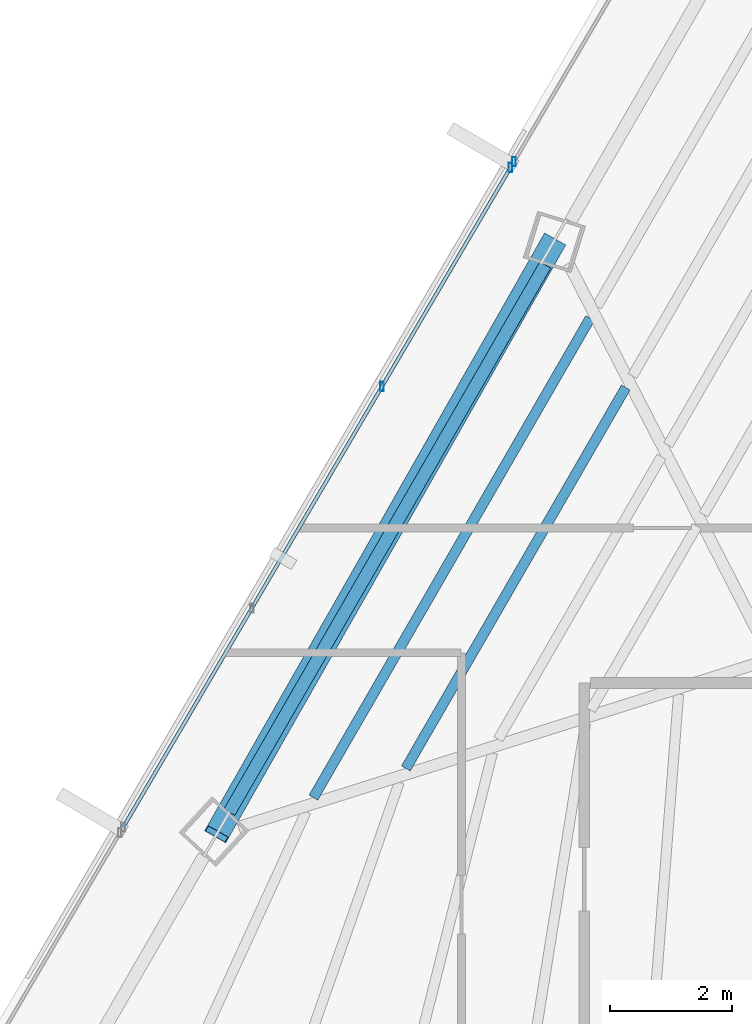
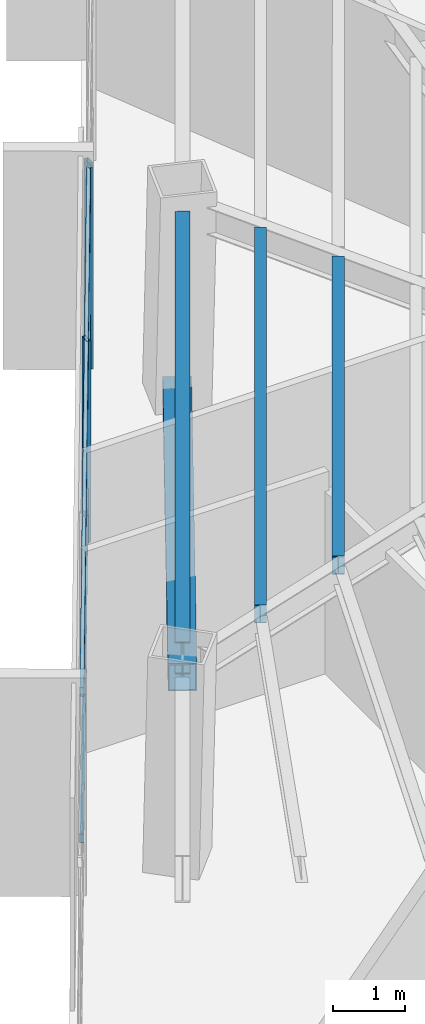
# One storey, part 16 of 42: 6 members, 3 beams, 2 elements without a shape of their own.
"""IFC4 building model written with IfcOpenShell, lengths in metres."""

from ifc_helpers import new_model, si_unit, direction, frame, origin, origin_2d, place, context, subcontext, project, spatial, hollow_rectangle, i_section, extrude, source, transform, mapped, material, material_profile, profile_set, type_object, type_shapes, element, aggregate, save


model = new_model("IFC4")

# Units and contexts
model_context = context("Model", 3, precision=1e-05, world=origin(), true_north=direction((0.0, 1.0)))
body_context = subcontext(model_context, "Body", "Model", "MODEL_VIEW")
ifc_project = project(units=[si_unit("LENGTHUNIT", "METRE"), si_unit("AREAUNIT", "SQUARE_METRE"), si_unit("VOLUMEUNIT", "CUBIC_METRE"), si_unit("PLANEANGLEUNIT", "RADIAN"), si_unit("MASSUNIT", "GRAM", prefix="KILO")], contexts=[model_context])

# Site, building, storey
site_placement = place(None, origin())
site = spatial("IfcSite", under=ifc_project, at=site_placement, CompositionType="ELEMENT")
building_placement = place(site_placement, origin())
building = spatial("IfcBuilding", under=site, at=building_placement, Name="Caelisora Broadcast Tower", CompositionType="ELEMENT")
storey_placement = place(building_placement, frame((0.0, 0.0, 187.699951171875)))
storey = spatial("IfcBuildingStorey", under=building, at=storey_placement, Name="L49", CompositionType="ELEMENT", Elevation=187.699951171875)

# Beams
ifc_material_1 = material(Name="Steel Grade 350 (AS/NZS 3679.1)", Category="steel")
ifc_material_profile_1 = material_profile(ifc_material_1, i_section(OverallWidth=0.166015625, OverallDepth=0.30712890625, WebThickness=0.006591796875, FlangeThickness=0.01171875, at=origin_2d()), Name="Steel Grade 350 (AS/NZS 3679.1)")
ifc_profile_set_1 = profile_set([ifc_material_profile_1], Name="Steel Grade 350 (AS/NZS 3679.1)")
beam_type_1 = type_object("IfcBeamType", Name="SB03", PredefinedType="JOIST", material=ifc_profile_set_1)
shared_shape_1 = source(origin(), body_context, "Body", "SweptSolid", [
    extrude(i_section(OverallWidth=0.166015625, OverallDepth=0.30712890625, WebThickness=0.006591796875, FlangeThickness=0.01171875, at=origin_2d()), origin(), (0.0, 0.0, 1.0), 9.10498046875),
])
beam_1_placement = place(storey_placement, frame((27.517578125, 35.603271484375, 3.246337890625), z_axis=(-0.499994791547, -0.866028410865, 0.0), x_axis=(0.866028410865, -0.499994791547, 0.0)))
element("IfcBeam", 1, at=beam_1_placement, inside=storey, type_object=beam_type_1, Name="L49 beam SB03", PredefinedType="JOIST", context=body_context, shape_type="MappedRepresentation", body=[
    mapped(shared_shape_1, transform((0.0, 0.0, 0.0), scale=1.0)),
])
ifc_material_profile_2 = material_profile(ifc_material_1, i_section(OverallWidth=0.208984375, OverallDepth=0.532958984375, WebThickness=0.01025390625, FlangeThickness=0.015625, at=origin_2d()), Name="Steel Grade 350 (AS/NZS 3679.1)")
ifc_profile_set_2 = profile_set([ifc_material_profile_2], Name="Steel Grade 350 (AS/NZS 3679.1)")
beam_type_2 = type_object("IfcBeamType", Name="PG05", PredefinedType="BEAM", material=ifc_profile_set_2)
shared_shape_2 = source(origin(), body_context, "Body", "SweptSolid", [
    extrude(i_section(OverallWidth=0.208984375, OverallDepth=0.532958984375, WebThickness=0.01025390625, FlangeThickness=0.015625, at=origin_2d()), origin(), (0.0, 0.0, 1.0), 10.39306640625),
])
type_shapes(beam_type_2, [shared_shape_2])
beam_2_placement = place(storey_placement, frame((26.779541015625, 36.478515625, 3.133544921875), z_axis=(-0.499996963119, -0.866027157121, 0.0), x_axis=(0.866027157121, -0.499996963119, 0.0)))
element("IfcBeam", 2, at=beam_2_placement, inside=storey, type_object=beam_type_2, Name="L49 beam PG05", PredefinedType="BEAM", context=body_context, shape_type="MappedRepresentation", body=[
    mapped(shared_shape_2, transform((0.0, 0.0, 0.0), scale=1.0)),
])
shared_shape_3 = source(origin(), body_context, "Body", "SweptSolid", [
    extrude(i_section(OverallWidth=0.166015625, OverallDepth=0.30712890625, WebThickness=0.006591796875, FlangeThickness=0.01171875, at=origin_2d()), origin(), (0.0, 0.0, 1.0), 7.234375),
])
type_shapes(beam_type_1, [shared_shape_1, shared_shape_3])
beam_3_placement = place(storey_placement, frame((28.10302734375, 34.46337890625, 3.246337890625), z_axis=(-0.500000946412, -0.866024857372, 0.0), x_axis=(0.866024857372, -0.500000946412, 0.0)))
element("IfcBeam", 3, at=beam_3_placement, inside=storey, type_object=beam_type_1, Name="L49 beam SB03", PredefinedType="JOIST", context=body_context, shape_type="MappedRepresentation", body=[
    mapped(shared_shape_3, transform((0.0, 0.0, 0.0), scale=1.0)),
])

# Member
ifc_material_2 = material(Name="Steel Grade 450 (AS/NZS 1163 C450L0)", Category="steel")
ifc_material_profile_3 = material_profile(ifc_material_2, hollow_rectangle(XDim=0.39990234375, YDim=0.39990234375, WallThickness=0.01611328125, at=origin_2d()), Name="Steel Grade 450 (AS/NZS 1163 C450L0)")
ifc_profile_set_3 = profile_set([ifc_material_profile_3], Name="Steel Grade 450 (AS/NZS 1163 C450L0)")
member_type_1 = type_object("IfcMemberType", Name="BR04", PredefinedType="BRACE", material=ifc_profile_set_3)
shared_shape_4 = source(origin(), body_context, "Body", "SweptSolid", [
    extrude(hollow_rectangle(XDim=0.39990234375, YDim=0.39990234375, WallThickness=0.01611328125, at=origin_2d()), origin(), (0.0, 0.0, 1.0), 11.603515625),
])
type_shapes(member_type_1, [shared_shape_4])
member_1_placement = place(storey_placement, frame((26.916748046875, 36.86083984375, 0.10009765625), z_axis=(-0.477594563833, -0.839677688596, 0.2585436363), x_axis=(0.869231939822, -0.494404525459, 0.0)))
element("IfcMember", 4, at=member_1_placement, inside=storey, type_object=member_type_1, Name="L49 perimeter brace BR04", PredefinedType="BRACE", context=body_context, shape_type="MappedRepresentation", body=[
    mapped(shared_shape_4, transform((0.0, 0.0, 0.0), scale=1.0)),
])

# Curtain wall, members
ifc_material_3 = material(Name="Unitised Aluminium Insulated Shadow-Box Spandrel Curtain Wall", Category="aluminium")
curtain_wall_type_1 = type_object("IfcCurtainWallType", Name="CW-SP2", PredefinedType="NOTDEFINED", material=ifc_material_3)
curtain_wall_1_placement = place(storey_placement, origin())
curtain_wall_1 = element("IfcCurtainWall", 5, at=curtain_wall_1_placement, inside=storey, type_object=curtain_wall_type_1, Name="L49 curtain wall CW-SP2", PredefinedType="NOTDEFINED")
ifc_material_4 = material(Name="Aluminium 6063-T6 Anodised Terracotta Bronze", Category="aluminium")
ifc_material_profile_4 = material_profile(ifc_material_4, hollow_rectangle(XDim=0.06005859375, YDim=0.14990234375, WallThickness=0.00341796875, at=origin_2d()), Name="Aluminium 6063-T6 Anodised Terracotta Bronze")
ifc_profile_set_4 = profile_set([ifc_material_profile_4], Name="Aluminium 6063-T6 Anodised Terracotta Bronze")
member_type_2 = type_object("IfcMemberType", Name="CWM-03", PredefinedType="MULLION", material=ifc_profile_set_4)
shared_shape_5 = source(origin(), body_context, "Body", "SweptSolid", [
    extrude(hollow_rectangle(XDim=0.06005859375, YDim=0.14990234375, WallThickness=0.00341796875, at=origin_2d()), origin(), (0.0, 0.0, 1.0), 3.400146484375),
])
type_shapes(member_type_2, [shared_shape_5])
member_2_placement = place(storey_placement, frame((24.093505859375, 34.48046875, 0.0), z_axis=(0.0, 0.0, 1.0), x_axis=(1.0, 0.0, 0.0)))
member_2 = element("IfcMember", 6, at=member_2_placement, type_object=member_type_2, Name="L49-CW-B10 mullion #2", PredefinedType="MULLION", context=body_context, shape_type="MappedRepresentation", body=[
    mapped(shared_shape_5, transform((0.0, 0.0, 0.0), scale=1.0)),
])
member_3_placement = place(storey_placement, frame((26.20849609375, 38.08251953125, 0.0), z_axis=(0.0, 0.0, 1.0), x_axis=(1.0, 0.0, 0.0)))
member_3 = element("IfcMember", 7, at=member_3_placement, type_object=member_type_2, Name="L49-CW-B10 mullion #3", PredefinedType="MULLION", context=body_context, shape_type="MappedRepresentation", body=[
    mapped(shared_shape_5, transform((0.0, 0.0, 0.0), scale=1.0)),
])

# Curtain wall, member
ifc_material_5 = material(Name="Unitised Aluminium and Low-E Glass Curtain Wall", Category="glass")
curtain_wall_type_2 = type_object("IfcCurtainWallType", Name="CW-Z4", PredefinedType="NOTDEFINED", material=ifc_material_5)
curtain_wall_2_placement = place(storey_placement, origin())
curtain_wall_2 = element("IfcCurtainWall", 8, at=curtain_wall_2_placement, inside=storey, type_object=curtain_wall_type_2, Name="L49 curtain wall CW-Z4", PredefinedType="NOTDEFINED")
member_4_placement = place(storey_placement, frame((26.264404296875, 38.177490234375, 0.0), z_axis=(0.0, 0.0, 1.0), x_axis=(1.0, 0.0, 0.0)))
member_4 = element("IfcMember", 9, at=member_4_placement, type_object=member_type_2, Name="L49-CW-B11 mullion #0", PredefinedType="MULLION", context=body_context, shape_type="MappedRepresentation", body=[
    mapped(shared_shape_5, transform((0.0, 0.0, 0.0), scale=1.0)),
])
aggregate(curtain_wall_2, [member_4])

# Member
ifc_material_profile_5 = material_profile(ifc_material_4, hollow_rectangle(XDim=0.06005859375, YDim=0.14990234375, WallThickness=0.00341796875, at=origin_2d()), Name="Aluminium 6063-T6 Anodised Terracotta Bronze")
ifc_profile_set_5 = profile_set([ifc_material_profile_5], Name="Aluminium 6063-T6 Anodised Terracotta Bronze")
member_type_3 = type_object("IfcMemberType", Name="CWT-02", PredefinedType="USERDEFINED", material=ifc_profile_set_5)
shared_shape_6 = source(origin(), body_context, "Body", "SweptSolid", [
    extrude(hollow_rectangle(XDim=0.06005859375, YDim=0.14990234375, WallThickness=0.00341796875, at=origin_2d()), origin(), (0.0, 0.0, 1.0), 12.581787109375),
])
type_shapes(member_type_3, [shared_shape_6])
member_5_placement = place(storey_placement, frame((19.837890625, 27.232666015625, 0.85009765625), z_axis=(0.506331392479, 0.862338982646, 0.0), x_axis=(-0.862338982646, 0.506331392479, 0.0)))
member_5 = element("IfcMember", 10, at=member_5_placement, type_object=member_type_3, Name="L49-CW-B10 transom #1", ObjectType="TRANSOM", PredefinedType="USERDEFINED", context=body_context, shape_type="MappedRepresentation", body=[
    mapped(shared_shape_6, transform((0.0, 0.0, 0.0), scale=1.0)),
])

member_6_placement = place(storey_placement, frame((19.837890625, 27.232666015625, 3.320068359375), z_axis=(0.506331392479, 0.862338982646, 0.0), x_axis=(-0.862338982646, 0.506331392479, 0.0)))
member_6 = element("IfcMember", 11, at=member_6_placement, type_object=member_type_3, Name="L49-CW-B10 transom #2", ObjectType="TRANSOM", PredefinedType="USERDEFINED", context=body_context, shape_type="MappedRepresentation", body=[
    mapped(shared_shape_6, transform((0.0, 0.0, 0.0), scale=1.0)),
])

aggregate(curtain_wall_1, [member_2, member_3, member_5, member_6])

save(model, "model.ifc")
